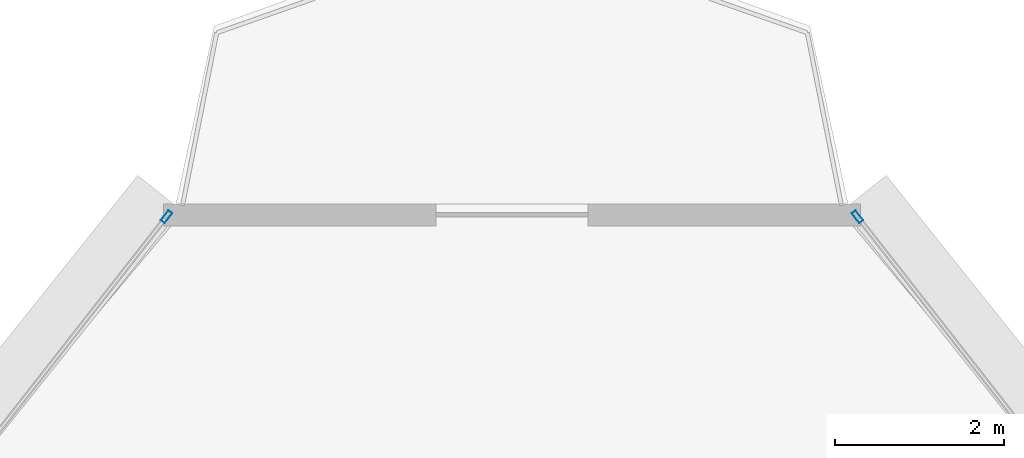
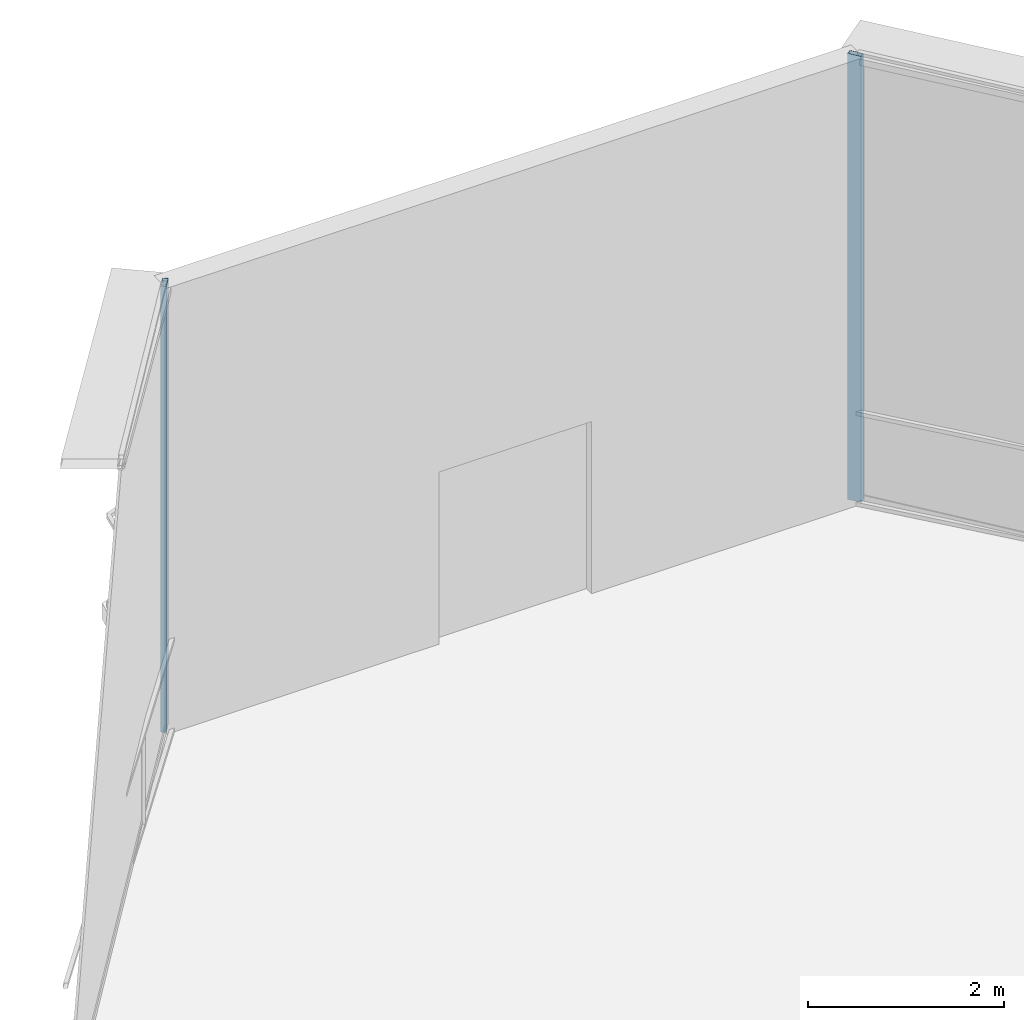
# One storey, part 26 of 38: 2 members, 2 elements without a shape of their own.
"""IFC4 building model written with IfcOpenShell, lengths in metres."""

from ifc_helpers import new_model, si_unit, direction, frame, origin, origin_2d, place, context, subcontext, project, spatial, hollow_rectangle, extrude, source, transform, mapped, material, layer, layer_set, material_profile, profile_set, type_object, element, aggregate, save


model = new_model("IFC4")

# Units and contexts
model_context = context("Model", 3, precision=1e-05, world=origin(), true_north=direction((0.0, 1.0)))
body_context = subcontext(model_context, "Body", "Model", "MODEL_VIEW")
ifc_project = project(units=[si_unit("LENGTHUNIT", "METRE"), si_unit("AREAUNIT", "SQUARE_METRE"), si_unit("VOLUMEUNIT", "CUBIC_METRE"), si_unit("PLANEANGLEUNIT", "RADIAN"), si_unit("MASSUNIT", "GRAM", prefix="KILO"), si_unit("THERMODYNAMICTEMPERATUREUNIT", "KELVIN"), si_unit("POWERUNIT", "WATT")], contexts=[model_context])

# Site, building, storey
site_placement = place(None, origin())
site = spatial("IfcSite", under=ifc_project, at=site_placement, CompositionType="ELEMENT")
building_placement = place(site_placement, origin())
building = spatial("IfcBuilding", under=site, at=building_placement, Name="Yunzhuo Pagoda Commons", CompositionType="ELEMENT")
storey_placement = place(building_placement, frame((0.0, 0.0, 218.9599609375)))
storey = spatial("IfcBuildingStorey", under=building, at=storey_placement, Name="L55", CompositionType="ELEMENT", Elevation=218.9599609375)

# Curtain wall, member
ifc_material = material(Name="Anodized aluminium 6063-T6", Category="aluminium")
ifc_layer = layer(ifc_material, 0.14990234375)
ifc_layer_set = layer_set([ifc_layer], Name="Anodized aluminium 6063-T6")
curtain_wall_type = type_object("IfcCurtainWallType", Name="CW-MID Mid-Zone Ribbon Curtain Wall", PredefinedType="NOTDEFINED", material=ifc_layer_set)
curtain_wall_1_placement = place(storey_placement, origin())
curtain_wall_1 = element("IfcCurtainWall", 1, at=curtain_wall_1_placement, inside=storey, type_object=curtain_wall_type, Name="L55 curtain wall CW-L55-F2B5", PredefinedType="NOTDEFINED")
ifc_material_profile = material_profile(ifc_material, hollow_rectangle(XDim=0.06005859375, YDim=0.14990234375, WallThickness=0.00390625, at=origin_2d()), Name="Anodized aluminium 6063-T6")
ifc_profile_set = profile_set([ifc_material_profile], Name="Anodized aluminium 6063-T6")
member_type = type_object("IfcMemberType", Name="CW-MID-M Mullion RHS 150x60x4", PredefinedType="MULLION", material=ifc_profile_set)
shared_shape = source(origin(), body_context, "Body", "SweptSolid", [
    extrude(hollow_rectangle(XDim=0.06005859375, YDim=0.14990234375, WallThickness=0.00390625, at=origin_2d()), origin(), (0.0, 0.0, 1.0), 5.570068359375),
])
member_1_placement = place(storey_placement, frame((52.081298828125, 81.780517578125, 0.0), z_axis=(0.0, 0.0, 1.0), x_axis=(-0.78738277393, -0.6164644088, 0.0)))
member_1 = element("IfcMember", 2, at=member_1_placement, type_object=member_type, Name="CW mullion 2", PredefinedType="MULLION", context=body_context, shape_type="MappedRepresentation", body=[
    mapped(shared_shape, transform((0.0, 0.0, 0.0), scale=1.0)),
])
aggregate(curtain_wall_1, [member_1])

curtain_wall_2_placement = place(storey_placement, origin())
curtain_wall_2 = element("IfcCurtainWall", 3, at=curtain_wall_2_placement, inside=storey, type_object=curtain_wall_type, Name="L55 curtain wall CW-L55-F3B1", PredefinedType="NOTDEFINED")
member_2_placement = place(storey_placement, frame((43.918701171875, 81.780517578125, 0.0), z_axis=(0.0, 0.0, 1.0), x_axis=(0.78738277393, -0.6164644088, 0.0)))
member_2 = element("IfcMember", 4, at=member_2_placement, type_object=member_type, Name="CW mullion 1", PredefinedType="MULLION", context=body_context, shape_type="MappedRepresentation", body=[
    mapped(shared_shape, transform((0.0, 0.0, 0.0), scale=1.0)),
])
aggregate(curtain_wall_2, [member_2])

save(model, "model.ifc")
